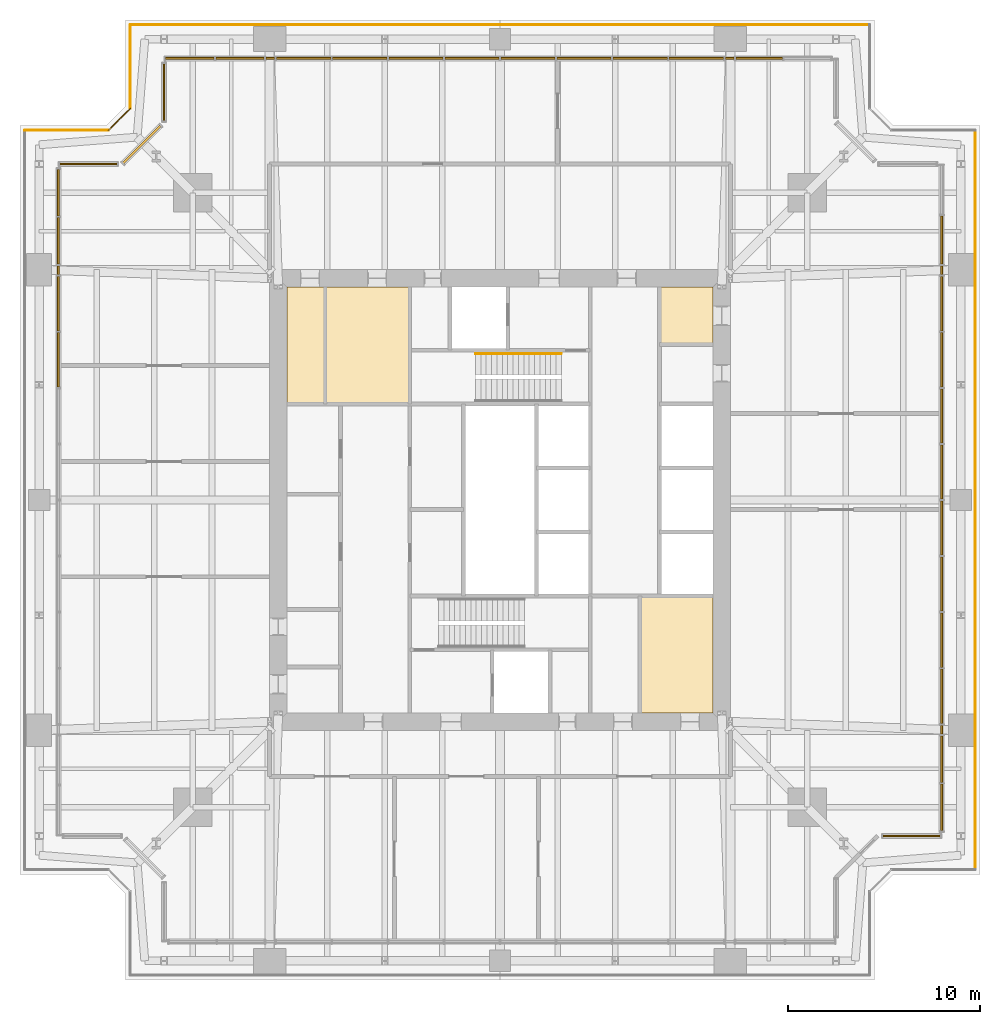
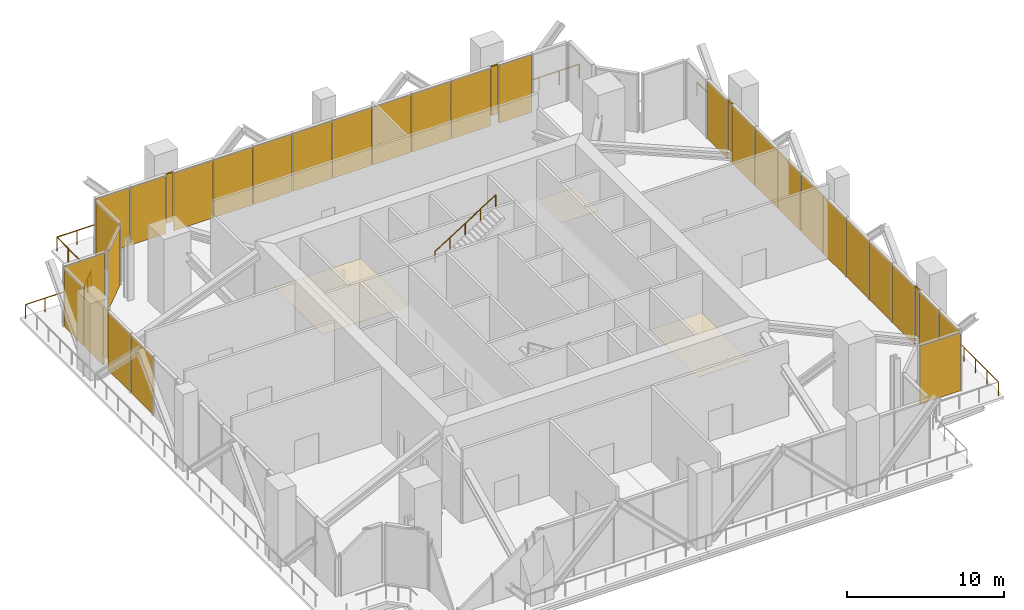
# One storey, part 13 of 14: 35 shading devices, 6 railings, 4 coverings, 12 elements without a shape of their own.
"""IFC4 building model written with IfcOpenShell, lengths in metres."""

from ifc_helpers import new_model, si_unit, direction, frame, origin, origin_2d, place, context, subcontext, project, spatial, polyline, rectangle, circle, outline, extrude, material, layer, layer_set, type_object, element, aggregate, save


model = new_model("IFC4")

# Units and contexts
model_context = context("Model", 3, precision=1e-05, world=origin(), true_north=direction((0.0, 1.0)))
body_context = subcontext(model_context, "Body", "Model", "MODEL_VIEW")
ifc_project = project(units=[si_unit("LENGTHUNIT", "METRE"), si_unit("AREAUNIT", "SQUARE_METRE"), si_unit("VOLUMEUNIT", "CUBIC_METRE"), si_unit("PLANEANGLEUNIT", "RADIAN"), si_unit("MASSUNIT", "GRAM", prefix="KILO")], contexts=[model_context])

# Site, building, storey
site_placement = place(None, origin())
site = spatial("IfcSite", under=ifc_project, at=site_placement, CompositionType="ELEMENT")
building_placement = place(site_placement, origin())
building = spatial("IfcBuilding", under=site, at=building_placement, Name="Fenwick Lantern Interchange", CompositionType="ELEMENT")
storey_placement = place(building_placement, frame((0.0, 0.0, 233.800048828125)))
storey = spatial("IfcBuildingStorey", under=building, at=storey_placement, Name="L55", CompositionType="ELEMENT", Elevation=233.800048828125)

# Railings
ifc_material_1 = material(Name="Stainless steel handrail", Category="steel")
railing_type_1 = type_object("IfcRailingType", Name="HANDRAIL 900", PredefinedType="HANDRAIL", material=ifc_material_1)
railing_1_placement = place(storey_placement, frame((23.719970703125, 32.6259765625, 3.176513671875)))
element("IfcRailing", 1, at=railing_1_placement, inside=storey, type_object=railing_type_1, Name="L55/STAIR/ST2/HR2", PredefinedType="HANDRAIL", context=body_context, shape_type="SweptSolid", body=[
    extrude(circle(Radius=0.02392578125, at=origin_2d()), frame((0.0, 0.0, 0.8759765625), z_axis=(0.845997938375, 0.0, 0.533186166611), x_axis=(0.0, 1.0, 0.0)), (0.0, 0.0, 1.0), 5.29541015625),
    extrude(circle(Radius=0.02099609375, at=origin_2d()), origin(), (0.0, 0.0, 1.0), 0.851806640625),
    extrude(circle(Radius=0.02099609375, at=origin_2d()), frame((1.1201171875, 0.0, 0.705810546875)), (0.0, 0.0, 1.0), 0.851806640625),
    extrude(circle(Radius=0.02099609375, at=origin_2d()), frame((2.239990234375, 0.0, 1.41162109375)), (0.0, 0.0, 1.0), 0.851806640625),
    extrude(circle(Radius=0.02099609375, at=origin_2d()), frame((3.35986328125, 0.0, 2.11767578125)), (0.0, 0.0, 1.0), 0.851806640625),
    extrude(circle(Radius=0.02099609375, at=origin_2d()), frame((4.47998046875, 0.0, 2.823486328125)), (0.0, 0.0, 1.0), 0.851806640625),
])
ifc_material_2 = material(Name="Galvanised steel guard", Category="steel")
railing_type_2 = type_object("IfcRailingType", Name="MAINTENANCE LEDGE GUARD 1100", PredefinedType="GUARDRAIL", material=ifc_material_2)
railing_2_placement = place(storey_placement, frame((49.75, 5.75, 0.0)))
element("IfcRailing", 2, at=railing_2_placement, inside=storey, type_object=railing_type_2, Name="L55/GR/LEDGE05", PredefinedType="GUARDRAIL", context=body_context, shape_type="SweptSolid", body=[
    extrude(circle(Radius=0.02392578125, at=origin_2d()), frame((0.0, 0.0, 1.076171875), z_axis=(0.0, 1.0, 0.0), x_axis=(-1.0, 0.0, 0.0)), (0.0, 0.0, 1.0), 38.5),
    extrude(circle(Radius=0.02099609375, at=origin_2d()), origin(), (0.0, 0.0, 1.0), 1.052001953125),
    extrude(circle(Radius=0.02099609375, at=origin_2d()), frame((0.0, 1.480712890625, 0.0)), (0.0, 0.0, 1.0), 1.052001953125),
    extrude(circle(Radius=0.02099609375, at=origin_2d()), frame((0.0, 2.96142578125, 0.0)), (0.0, 0.0, 1.0), 1.052001953125),
    extrude(circle(Radius=0.02099609375, at=origin_2d()), frame((0.0, 4.4423828125, 0.0)), (0.0, 0.0, 1.0), 1.052001953125),
    extrude(circle(Radius=0.02099609375, at=origin_2d()), frame((0.0, 5.923095703125, 0.0)), (0.0, 0.0, 1.0), 1.052001953125),
    extrude(circle(Radius=0.02099609375, at=origin_2d()), frame((0.0, 7.40380859375, 0.0)), (0.0, 0.0, 1.0), 1.052001953125),
    extrude(circle(Radius=0.02099609375, at=origin_2d()), frame((0.0, 8.884521484375, 0.0)), (0.0, 0.0, 1.0), 1.052001953125),
    extrude(circle(Radius=0.02099609375, at=origin_2d()), frame((0.0, 10.365478515625, 0.0)), (0.0, 0.0, 1.0), 1.052001953125),
    extrude(circle(Radius=0.02099609375, at=origin_2d()), frame((0.0, 11.84619140625, 0.0)), (0.0, 0.0, 1.0), 1.052001953125),
    extrude(circle(Radius=0.02099609375, at=origin_2d()), frame((0.0, 13.326904296875, 0.0)), (0.0, 0.0, 1.0), 1.052001953125),
    extrude(circle(Radius=0.02099609375, at=origin_2d()), frame((0.0, 14.8076171875, 0.0)), (0.0, 0.0, 1.0), 1.052001953125),
    extrude(circle(Radius=0.02099609375, at=origin_2d()), frame((0.0, 16.28857421875, 0.0)), (0.0, 0.0, 1.0), 1.052001953125),
    extrude(circle(Radius=0.02099609375, at=origin_2d()), frame((0.0, 17.769287109375, 0.0)), (0.0, 0.0, 1.0), 1.052001953125),
    extrude(circle(Radius=0.02099609375, at=origin_2d()), frame((0.0, 19.25, 0.0)), (0.0, 0.0, 1.0), 1.052001953125),
    extrude(circle(Radius=0.02099609375, at=origin_2d()), frame((0.0, 20.730712890625, 0.0)), (0.0, 0.0, 1.0), 1.052001953125),
    extrude(circle(Radius=0.02099609375, at=origin_2d()), frame((0.0, 22.21142578125, 0.0)), (0.0, 0.0, 1.0), 1.052001953125),
    extrude(circle(Radius=0.02099609375, at=origin_2d()), frame((0.0, 23.6923828125, 0.0)), (0.0, 0.0, 1.0), 1.052001953125),
    extrude(circle(Radius=0.02099609375, at=origin_2d()), frame((0.0, 25.173095703125, 0.0)), (0.0, 0.0, 1.0), 1.052001953125),
    extrude(circle(Radius=0.02099609375, at=origin_2d()), frame((0.0, 26.65380859375, 0.0)), (0.0, 0.0, 1.0), 1.052001953125),
    extrude(circle(Radius=0.02099609375, at=origin_2d()), frame((0.0, 28.134521484375, 0.0)), (0.0, 0.0, 1.0), 1.052001953125),
    extrude(circle(Radius=0.02099609375, at=origin_2d()), frame((0.0, 29.615478515625, 0.0)), (0.0, 0.0, 1.0), 1.052001953125),
    extrude(circle(Radius=0.02099609375, at=origin_2d()), frame((0.0, 31.09619140625, 0.0)), (0.0, 0.0, 1.0), 1.052001953125),
    extrude(circle(Radius=0.02099609375, at=origin_2d()), frame((0.0, 32.576904296875, 0.0)), (0.0, 0.0, 1.0), 1.052001953125),
    extrude(circle(Radius=0.02099609375, at=origin_2d()), frame((0.0, 34.0576171875, 0.0)), (0.0, 0.0, 1.0), 1.052001953125),
    extrude(circle(Radius=0.02099609375, at=origin_2d()), frame((0.0, 35.53857421875, 0.0)), (0.0, 0.0, 1.0), 1.052001953125),
    extrude(circle(Radius=0.02099609375, at=origin_2d()), frame((0.0, 37.019287109375, 0.0)), (0.0, 0.0, 1.0), 1.052001953125),
    extrude(circle(Radius=0.02099609375, at=origin_2d()), frame((0.0, 38.5, 0.0)), (0.0, 0.0, 1.0), 1.052001953125),
])
railing_3_placement = place(storey_placement, frame((44.25, 49.75, 0.0)))
element("IfcRailing", 3, at=railing_3_placement, inside=storey, type_object=railing_type_2, Name="L55/GR/LEDGE09", PredefinedType="GUARDRAIL", context=body_context, shape_type="SweptSolid", body=[
    extrude(circle(Radius=0.02392578125, at=origin_2d()), frame((0.0, 0.0, 1.076171875), z_axis=(-1.0, 0.0, 0.0), x_axis=(0.0, -1.0, 0.0)), (0.0, 0.0, 1.0), 38.5),
    extrude(circle(Radius=0.02099609375, at=origin_2d()), origin(), (0.0, 0.0, 1.0), 1.052001953125),
    extrude(circle(Radius=0.02099609375, at=origin_2d()), frame((-1.480712890625, 0.0, 0.0)), (0.0, 0.0, 1.0), 1.052001953125),
    extrude(circle(Radius=0.02099609375, at=origin_2d()), frame((-2.96142578125, 0.0, 0.0)), (0.0, 0.0, 1.0), 1.052001953125),
    extrude(circle(Radius=0.02099609375, at=origin_2d()), frame((-4.4423828125, 0.0, 0.0)), (0.0, 0.0, 1.0), 1.052001953125),
    extrude(circle(Radius=0.02099609375, at=origin_2d()), frame((-5.923095703125, 0.0, 0.0)), (0.0, 0.0, 1.0), 1.052001953125),
    extrude(circle(Radius=0.02099609375, at=origin_2d()), frame((-7.40380859375, 0.0, 0.0)), (0.0, 0.0, 1.0), 1.052001953125),
    extrude(circle(Radius=0.02099609375, at=origin_2d()), frame((-8.884521484375, 0.0, 0.0)), (0.0, 0.0, 1.0), 1.052001953125),
    extrude(circle(Radius=0.02099609375, at=origin_2d()), frame((-10.365478515625, 0.0, 0.0)), (0.0, 0.0, 1.0), 1.052001953125),
    extrude(circle(Radius=0.02099609375, at=origin_2d()), frame((-11.84619140625, 0.0, 0.0)), (0.0, 0.0, 1.0), 1.052001953125),
    extrude(circle(Radius=0.02099609375, at=origin_2d()), frame((-13.326904296875, 0.0, 0.0)), (0.0, 0.0, 1.0), 1.052001953125),
    extrude(circle(Radius=0.02099609375, at=origin_2d()), frame((-14.8076171875, 0.0, 0.0)), (0.0, 0.0, 1.0), 1.052001953125),
    extrude(circle(Radius=0.02099609375, at=origin_2d()), frame((-16.28857421875, 0.0, 0.0)), (0.0, 0.0, 1.0), 1.052001953125),
    extrude(circle(Radius=0.02099609375, at=origin_2d()), frame((-17.769287109375, 0.0, 0.0)), (0.0, 0.0, 1.0), 1.052001953125),
    extrude(circle(Radius=0.02099609375, at=origin_2d()), frame((-19.25, 0.0, 0.0)), (0.0, 0.0, 1.0), 1.052001953125),
    extrude(circle(Radius=0.02099609375, at=origin_2d()), frame((-20.730712890625, 0.0, 0.0)), (0.0, 0.0, 1.0), 1.052001953125),
    extrude(circle(Radius=0.02099609375, at=origin_2d()), frame((-22.21142578125, 0.0, 0.0)), (0.0, 0.0, 1.0), 1.052001953125),
    extrude(circle(Radius=0.02099609375, at=origin_2d()), frame((-23.6923828125, 0.0, 0.0)), (0.0, 0.0, 1.0), 1.052001953125),
    extrude(circle(Radius=0.02099609375, at=origin_2d()), frame((-25.173095703125, 0.0, 0.0)), (0.0, 0.0, 1.0), 1.052001953125),
    extrude(circle(Radius=0.02099609375, at=origin_2d()), frame((-26.65380859375, 0.0, 0.0)), (0.0, 0.0, 1.0), 1.052001953125),
    extrude(circle(Radius=0.02099609375, at=origin_2d()), frame((-28.134521484375, 0.0, 0.0)), (0.0, 0.0, 1.0), 1.052001953125),
    extrude(circle(Radius=0.02099609375, at=origin_2d()), frame((-29.615478515625, 0.0, 0.0)), (0.0, 0.0, 1.0), 1.052001953125),
    extrude(circle(Radius=0.02099609375, at=origin_2d()), frame((-31.09619140625, 0.0, 0.0)), (0.0, 0.0, 1.0), 1.052001953125),
    extrude(circle(Radius=0.02099609375, at=origin_2d()), frame((-32.576904296875, 0.0, 0.0)), (0.0, 0.0, 1.0), 1.052001953125),
    extrude(circle(Radius=0.02099609375, at=origin_2d()), frame((-34.0576171875, 0.0, 0.0)), (0.0, 0.0, 1.0), 1.052001953125),
    extrude(circle(Radius=0.02099609375, at=origin_2d()), frame((-35.53857421875, 0.0, 0.0)), (0.0, 0.0, 1.0), 1.052001953125),
    extrude(circle(Radius=0.02099609375, at=origin_2d()), frame((-37.019287109375, 0.0, 0.0)), (0.0, 0.0, 1.0), 1.052001953125),
    extrude(circle(Radius=0.02099609375, at=origin_2d()), frame((-38.5, 0.0, 0.0)), (0.0, 0.0, 1.0), 1.052001953125),
])
railing_4_placement = place(storey_placement, frame((5.75, 49.75, 0.0)))
element("IfcRailing", 4, at=railing_4_placement, inside=storey, type_object=railing_type_2, Name="L55/GR/LEDGE10", PredefinedType="GUARDRAIL", context=body_context, shape_type="SweptSolid", body=[
    extrude(circle(Radius=0.02392578125, at=origin_2d()), frame((0.0, 0.0, 1.076171875), z_axis=(0.0, -1.0, 0.0), x_axis=(1.0, 0.0, 0.0)), (0.0, 0.0, 1.0), 4.353515625),
    extrude(circle(Radius=0.02099609375, at=origin_2d()), origin(), (0.0, 0.0, 1.0), 1.052001953125),
    extrude(circle(Radius=0.02099609375, at=origin_2d()), frame((0.0, -1.451171875, 0.0)), (0.0, 0.0, 1.0), 1.052001953125),
    extrude(circle(Radius=0.02099609375, at=origin_2d()), frame((0.0, -2.90234375, 0.0)), (0.0, 0.0, 1.0), 1.052001953125),
    extrude(circle(Radius=0.02099609375, at=origin_2d()), frame((0.0, -4.353515625, 0.0)), (0.0, 0.0, 1.0), 1.052001953125),
])
railing_5_placement = place(storey_placement, frame((5.75, 45.396484375, 0.0)))
element("IfcRailing", 5, at=railing_5_placement, inside=storey, type_object=railing_type_2, Name="L55/GR/LEDGE11", PredefinedType="GUARDRAIL", context=body_context, shape_type="SweptSolid", body=[
    extrude(circle(Radius=0.02392578125, at=origin_2d()), frame((0.0, 0.0, 1.076171875), z_axis=(-0.707106781187, -0.707106781187, 0.0), x_axis=(0.707106781187, -0.707106781187, 0.0)), (0.0, 0.0, 1.0), 1.621337890625),
    extrude(circle(Radius=0.02099609375, at=origin_2d()), origin(), (0.0, 0.0, 1.0), 1.052001953125),
    extrude(circle(Radius=0.02099609375, at=origin_2d()), frame((-0.5732421875, -0.5732421875, 0.0)), (0.0, 0.0, 1.0), 1.052001953125),
    extrude(circle(Radius=0.02099609375, at=origin_2d()), frame((-1.146484375, -1.146484375, 0.0)), (0.0, 0.0, 1.0), 1.052001953125),
])
railing_6_placement = place(storey_placement, frame((4.603515625, 44.25, 0.0)))
element("IfcRailing", 6, at=railing_6_placement, inside=storey, type_object=railing_type_2, Name="L55/GR/LEDGE12", PredefinedType="GUARDRAIL", context=body_context, shape_type="SweptSolid", body=[
    extrude(circle(Radius=0.02392578125, at=origin_2d()), frame((0.0, 0.0, 1.076171875), z_axis=(-1.0, 0.0, 0.0), x_axis=(0.0, -1.0, 0.0)), (0.0, 0.0, 1.0), 4.353515625),
    extrude(circle(Radius=0.02099609375, at=origin_2d()), origin(), (0.0, 0.0, 1.0), 1.052001953125),
    extrude(circle(Radius=0.02099609375, at=origin_2d()), frame((-1.451171875, 0.0, 0.0)), (0.0, 0.0, 1.0), 1.052001953125),
    extrude(circle(Radius=0.02099609375, at=origin_2d()), frame((-2.90234375, 0.0, 0.0)), (0.0, 0.0, 1.0), 1.052001953125),
    extrude(circle(Radius=0.02099609375, at=origin_2d()), frame((-4.353515625, 0.0, 0.0)), (0.0, 0.0, 1.0), 1.052001953125),
])

# Coverings
ifc_material_3 = material(Name="Moisture resistant gypsum board on suspended frame, painted")
ifc_layer_1 = layer(ifc_material_3, 0.014892578125)
ifc_layer_set_1 = layer_set([ifc_layer_1], Name="MOISTURE RESISTANT CEILING 15")
covering_type = type_object("IfcCoveringType", Name="MOISTURE RESISTANT CEILING 15", PredefinedType="CEILING", material=ifc_layer_set_1)
covering_1_placement = place(storey_placement, frame((0.0, 0.0, 2.599853515625)))
element("IfcCovering", 7, at=covering_1_placement, inside=storey, type_object=covering_type, Name="Women's WC ceiling", PredefinedType="CEILING", context=body_context, shape_type="SweptSolid", body=[
    extrude(outline(polyline([(32.300048828125, 13.89990234375), (36.10009765625, 13.89990234375), (36.10009765625, 20.0), (32.300048828125, 20.0), (32.300048828125, 13.89990234375)])), origin(), (0.0, 0.0, 1.0), 0.01513671875),
])
covering_2_placement = place(storey_placement, frame((0.0, 0.0, 2.599853515625)))
element("IfcCovering", 8, at=covering_2_placement, inside=storey, type_object=covering_type, Name="Women's WC ceiling", PredefinedType="CEILING", context=body_context, shape_type="SweptSolid", body=[
    extrude(outline(polyline([(20.300048828125, 36.10009765625), (15.89990234375, 36.10009765625), (15.89990234375, 30.0), (20.300048828125, 30.0), (20.300048828125, 36.10009765625)])), origin(), (0.0, 0.0, 1.0), 0.01513671875),
])
covering_3_placement = place(storey_placement, frame((0.0, 0.0, 2.599853515625)))
element("IfcCovering", 9, at=covering_3_placement, inside=storey, type_object=covering_type, Name="Men's WC ceiling", PredefinedType="CEILING", context=body_context, shape_type="SweptSolid", body=[
    extrude(outline(polyline([(15.89990234375, 36.10009765625), (13.89990234375, 36.10009765625), (13.89990234375, 30.0), (15.89990234375, 30.0), (15.89990234375, 36.10009765625)])), origin(), (0.0, 0.0, 1.0), 0.01513671875),
])
covering_4_placement = place(storey_placement, frame((0.0, 0.0, 2.599853515625)))
element("IfcCovering", 10, at=covering_4_placement, inside=storey, type_object=covering_type, Name="Accessible WC ceiling", PredefinedType="CEILING", context=body_context, shape_type="SweptSolid", body=[
    extrude(outline(polyline([(36.10009765625, 36.10009765625), (33.300048828125, 36.10009765625), (33.300048828125, 33.10009765625), (36.10009765625, 33.10009765625), (36.10009765625, 36.10009765625)])), origin(), (0.0, 0.0, 1.0), 0.01513671875),
])

# Curtain wall, shading device
ifc_material_4 = material(Name="Aluminium curtain wall frame", Category="aluminium")
curtain_wall_type = type_object("IfcCurtainWallType", Name="PLANT LOUVRE SCREEN", PredefinedType="USERDEFINED", material=ifc_material_4)
curtain_wall_1_placement = place(storey_placement, origin())
curtain_wall_1 = element("IfcCurtainWall", 11, at=curtain_wall_1_placement, inside=storey, type_object=curtain_wall_type, Name="Plant louvre screen 03", ObjectType="PLANT LOUVRE SCREEN", PredefinedType="USERDEFINED")
ifc_material_5 = material(Name="Louvre panel, anodised aluminium blades", Category="aluminium")
ifc_layer_2 = layer(ifc_material_5, 0.10009765625)
ifc_layer_set_2 = layer_set([ifc_layer_2], Name="PLANT LOUVRE SCREEN PANEL 100")
shading_device_type = type_object("IfcShadingDeviceType", Name="PLANT LOUVRE SCREEN PANEL 100", PredefinedType="SHUTTER", material=ifc_layer_set_2)
shading_device_1_placement = place(storey_placement, frame((46.435791015625, 7.5, 0.0), z_axis=(0.0, 0.0, 1.0), x_axis=(1.0, 0.0, 0.0)))
shading_device_1 = element("IfcShadingDevice", 12, at=shading_device_1_placement, type_object=shading_device_type, Name="L55/CW/03/P00", PredefinedType="SHUTTER", context=body_context, shape_type="SweptSolid", body=[
    extrude(rectangle(XDim=2.978515625, YDim=0.10009765625, at=origin_2d()), origin(), (0.0, 0.0, 1.0), 4.47998046875),
])
aggregate(curtain_wall_1, [shading_device_1])

# Curtain wall, shading devices
curtain_wall_2_placement = place(storey_placement, origin())
curtain_wall_2 = element("IfcCurtainWall", 13, at=curtain_wall_2_placement, inside=storey, type_object=curtain_wall_type, Name="Plant louvre screen 04A", ObjectType="PLANT LOUVRE SCREEN", PredefinedType="USERDEFINED")
shading_device_2_placement = place(storey_placement, frame((48.0, 8.99267578125, 0.0), z_axis=(0.0, 0.0, 1.0), x_axis=(0.0, 1.0, 0.0)))
shading_device_2 = element("IfcShadingDevice", 14, at=shading_device_2_placement, type_object=shading_device_type, Name="L55/CW/04A/P00", PredefinedType="SHUTTER", context=body_context, shape_type="SweptSolid", body=[
    extrude(rectangle(XDim=2.43505859375, YDim=0.10009765625, at=origin_2d()), origin(), (0.0, 0.0, 1.0), 4.47998046875),
])
shading_device_3_placement = place(storey_placement, frame((48.0, 11.502685546875, 0.0), z_axis=(0.0, 0.0, 1.0), x_axis=(0.0, 1.0, 0.0)))
shading_device_3 = element("IfcShadingDevice", 15, at=shading_device_3_placement, type_object=shading_device_type, Name="L55/CW/04A/P01", PredefinedType="SHUTTER", context=body_context, shape_type="SweptSolid", body=[
    extrude(rectangle(XDim=2.43505859375, YDim=0.10009765625, at=origin_2d()), origin(), (0.0, 0.0, 1.0), 4.47998046875),
])
aggregate(curtain_wall_2, [shading_device_2, shading_device_3])

curtain_wall_3_placement = place(storey_placement, origin())
curtain_wall_3 = element("IfcCurtainWall", 16, at=curtain_wall_3_placement, inside=storey, type_object=curtain_wall_type, Name="Plant louvre screen 04B", ObjectType="PLANT LOUVRE SCREEN", PredefinedType="USERDEFINED")
shading_device_4_placement = place(storey_placement, frame((48.0, 14.777587890625, 0.0), z_axis=(0.0, 0.0, 1.0), x_axis=(0.0, 1.0, 0.0)))
shading_device_4 = element("IfcShadingDevice", 17, at=shading_device_4_placement, type_object=shading_device_type, Name="L55/CW/04B/P00", PredefinedType="SHUTTER", context=body_context, shape_type="SweptSolid", body=[
    extrude(rectangle(XDim=2.845703125, YDim=0.10009765625, at=origin_2d()), origin(), (0.0, 0.0, 1.0), 4.47998046875),
])
shading_device_5_placement = place(storey_placement, frame((48.0, 17.6982421875, 0.0), z_axis=(0.0, 0.0, 1.0), x_axis=(0.0, 1.0, 0.0)))
shading_device_5 = element("IfcShadingDevice", 18, at=shading_device_5_placement, type_object=shading_device_type, Name="L55/CW/04B/P01", PredefinedType="SHUTTER", context=body_context, shape_type="SweptSolid", body=[
    extrude(rectangle(XDim=2.845703125, YDim=0.10009765625, at=origin_2d()), origin(), (0.0, 0.0, 1.0), 4.47998046875),
])
shading_device_6_placement = place(storey_placement, frame((48.0, 20.618896484375, 0.0), z_axis=(0.0, 0.0, 1.0), x_axis=(0.0, 1.0, 0.0)))
shading_device_6 = element("IfcShadingDevice", 19, at=shading_device_6_placement, type_object=shading_device_type, Name="L55/CW/04B/P02", PredefinedType="SHUTTER", context=body_context, shape_type="SweptSolid", body=[
    extrude(rectangle(XDim=2.845703125, YDim=0.10009765625, at=origin_2d()), origin(), (0.0, 0.0, 1.0), 4.47998046875),
])
shading_device_7_placement = place(storey_placement, frame((48.0, 23.53955078125, 0.0), z_axis=(0.0, 0.0, 1.0), x_axis=(0.0, 1.0, 0.0)))
shading_device_7 = element("IfcShadingDevice", 20, at=shading_device_7_placement, type_object=shading_device_type, Name="L55/CW/04B/P03", PredefinedType="SHUTTER", context=body_context, shape_type="SweptSolid", body=[
    extrude(rectangle(XDim=2.845703125, YDim=0.10009765625, at=origin_2d()), origin(), (0.0, 0.0, 1.0), 4.47998046875),
])
shading_device_8_placement = place(storey_placement, frame((48.0, 26.46044921875, 0.0), z_axis=(0.0, 0.0, 1.0), x_axis=(0.0, 1.0, 0.0)))
shading_device_8 = element("IfcShadingDevice", 21, at=shading_device_8_placement, type_object=shading_device_type, Name="L55/CW/04B/P04", PredefinedType="SHUTTER", context=body_context, shape_type="SweptSolid", body=[
    extrude(rectangle(XDim=2.845703125, YDim=0.10009765625, at=origin_2d()), origin(), (0.0, 0.0, 1.0), 4.47998046875),
])
shading_device_9_placement = place(storey_placement, frame((48.0, 29.381103515625, 0.0), z_axis=(0.0, 0.0, 1.0), x_axis=(0.0, 1.0, 0.0)))
shading_device_9 = element("IfcShadingDevice", 22, at=shading_device_9_placement, type_object=shading_device_type, Name="L55/CW/04B/P05", PredefinedType="SHUTTER", context=body_context, shape_type="SweptSolid", body=[
    extrude(rectangle(XDim=2.845703125, YDim=0.10009765625, at=origin_2d()), origin(), (0.0, 0.0, 1.0), 4.47998046875),
])
shading_device_10_placement = place(storey_placement, frame((48.0, 32.3017578125, 0.0), z_axis=(0.0, 0.0, 1.0), x_axis=(0.0, 1.0, 0.0)))
shading_device_10 = element("IfcShadingDevice", 23, at=shading_device_10_placement, type_object=shading_device_type, Name="L55/CW/04B/P06", PredefinedType="SHUTTER", context=body_context, shape_type="SweptSolid", body=[
    extrude(rectangle(XDim=2.845703125, YDim=0.10009765625, at=origin_2d()), origin(), (0.0, 0.0, 1.0), 4.47998046875),
])
shading_device_11_placement = place(storey_placement, frame((48.0, 35.222412109375, 0.0), z_axis=(0.0, 0.0, 1.0), x_axis=(0.0, 1.0, 0.0)))
shading_device_11 = element("IfcShadingDevice", 24, at=shading_device_11_placement, type_object=shading_device_type, Name="L55/CW/04B/P07", PredefinedType="SHUTTER", context=body_context, shape_type="SweptSolid", body=[
    extrude(rectangle(XDim=2.845703125, YDim=0.10009765625, at=origin_2d()), origin(), (0.0, 0.0, 1.0), 4.47998046875),
])
aggregate(curtain_wall_3, [shading_device_4, shading_device_5, shading_device_6, shading_device_7, shading_device_8, shading_device_9, shading_device_10, shading_device_11])

# Curtain wall, shading device
curtain_wall_4_placement = place(storey_placement, origin())
curtain_wall_4 = element("IfcCurtainWall", 25, at=curtain_wall_4_placement, inside=storey, type_object=curtain_wall_type, Name="Plant louvre screen 04C", ObjectType="PLANT LOUVRE SCREEN", PredefinedType="USERDEFINED")
shading_device_12_placement = place(storey_placement, frame((48.0, 38.54736328125, 0.0), z_axis=(0.0, 0.0, 1.0), x_axis=(0.0, 1.0, 0.0)))
shading_device_12 = element("IfcShadingDevice", 26, at=shading_device_12_placement, type_object=shading_device_type, Name="L55/CW/04C/P00", PredefinedType="SHUTTER", context=body_context, shape_type="SweptSolid", body=[
    extrude(rectangle(XDim=2.53515625, YDim=0.10009765625, at=origin_2d()), origin(), (0.0, 0.0, 1.0), 4.47998046875),
])
aggregate(curtain_wall_4, [shading_device_12])

# Shading devices
for number, where, z_axis, x_axis, name in (
    (27, (48.0, 13.03759765625, 0.8193359375), (0.0, 0.0, 1.0), (0.0, 1.0, 0.0), "Louvre screen infill 04-1"),
    (28, (48.0, 36.96240234375, 0.8193359375), (0.0, 0.0, 1.0), (0.0, 1.0, 0.0), "Louvre screen infill 04-2"),
):
    element("IfcShadingDevice", number, at=place(storey_placement, frame(where, z_axis=z_axis, x_axis=x_axis)), inside=storey, type_object=shading_device_type, Name=name, PredefinedType="SHUTTER", context=body_context, shape_type="SweptSolid", body=[
        extrude(rectangle(XDim=0.484375, YDim=0.10009765625, at=origin_2d()), origin(), (0.0, 0.0, 1.0), 3.78076171875),
    ])

# Curtain wall, shading device
curtain_wall_5_placement = place(storey_placement, origin())
curtain_wall_5 = element("IfcCurtainWall", 29, at=curtain_wall_5_placement, inside=storey, type_object=curtain_wall_type, Name="Plant louvre screen 08A", ObjectType="PLANT LOUVRE SCREEN", PredefinedType="USERDEFINED")
shading_device_13_placement = place(storey_placement, frame((38.4990234375, 48.0, 0.0), z_axis=(0.0, 0.0, 1.0), x_axis=(-1.0, 0.0, 0.0)))
shading_device_13 = element("IfcShadingDevice", 30, at=shading_device_13_placement, type_object=shading_device_type, Name="L55/CW/08A/P01", PredefinedType="SHUTTER", context=body_context, shape_type="SweptSolid", body=[
    extrude(rectangle(XDim=2.43408203125, YDim=0.10009765625, at=origin_2d()), origin(), (0.0, 0.0, 1.0), 4.47998046875),
])
aggregate(curtain_wall_5, [shading_device_13])

# Curtain wall, shading devices
curtain_wall_6_placement = place(storey_placement, origin())
curtain_wall_6 = element("IfcCurtainWall", 31, at=curtain_wall_6_placement, inside=storey, type_object=curtain_wall_type, Name="Plant louvre screen 08B", ObjectType="PLANT LOUVRE SCREEN", PredefinedType="USERDEFINED")
shading_device_14_placement = place(storey_placement, frame((35.22509765625, 48.0, 0.0), z_axis=(0.0, 0.0, 1.0), x_axis=(-1.0, 0.0, 0.0)))
shading_device_14 = element("IfcShadingDevice", 32, at=shading_device_14_placement, type_object=shading_device_type, Name="L55/CW/08B/P00", PredefinedType="SHUTTER", context=body_context, shape_type="SweptSolid", body=[
    extrude(rectangle(XDim=2.846435546875, YDim=0.10009765625, at=origin_2d()), origin(), (0.0, 0.0, 1.0), 4.47998046875),
])
shading_device_15_placement = place(storey_placement, frame((32.3037109375, 48.0, 0.0), z_axis=(0.0, 0.0, 1.0), x_axis=(-1.0, 0.0, 0.0)))
shading_device_15 = element("IfcShadingDevice", 33, at=shading_device_15_placement, type_object=shading_device_type, Name="L55/CW/08B/P01", PredefinedType="SHUTTER", context=body_context, shape_type="SweptSolid", body=[
    extrude(rectangle(XDim=2.846435546875, YDim=0.10009765625, at=origin_2d()), origin(), (0.0, 0.0, 1.0), 4.47998046875),
])
shading_device_16_placement = place(storey_placement, frame((29.382080078125, 48.0, 0.0), z_axis=(0.0, 0.0, 1.0), x_axis=(-1.0, 0.0, 0.0)))
shading_device_16 = element("IfcShadingDevice", 34, at=shading_device_16_placement, type_object=shading_device_type, Name="L55/CW/08B/P02", PredefinedType="SHUTTER", context=body_context, shape_type="SweptSolid", body=[
    extrude(rectangle(XDim=2.846435546875, YDim=0.10009765625, at=origin_2d()), origin(), (0.0, 0.0, 1.0), 4.47998046875),
])
shading_device_17_placement = place(storey_placement, frame((26.460693359375, 48.0, 0.0), z_axis=(0.0, 0.0, 1.0), x_axis=(-1.0, 0.0, 0.0)))
shading_device_17 = element("IfcShadingDevice", 35, at=shading_device_17_placement, type_object=shading_device_type, Name="L55/CW/08B/P03", PredefinedType="SHUTTER", context=body_context, shape_type="SweptSolid", body=[
    extrude(rectangle(XDim=2.846435546875, YDim=0.10009765625, at=origin_2d()), origin(), (0.0, 0.0, 1.0), 4.47998046875),
])
shading_device_18_placement = place(storey_placement, frame((23.539306640625, 48.0, 0.0), z_axis=(0.0, 0.0, 1.0), x_axis=(-1.0, 0.0, 0.0)))
shading_device_18 = element("IfcShadingDevice", 36, at=shading_device_18_placement, type_object=shading_device_type, Name="L55/CW/08B/P04", PredefinedType="SHUTTER", context=body_context, shape_type="SweptSolid", body=[
    extrude(rectangle(XDim=2.846435546875, YDim=0.10009765625, at=origin_2d()), origin(), (0.0, 0.0, 1.0), 4.47998046875),
])
shading_device_19_placement = place(storey_placement, frame((20.617919921875, 48.0, 0.0), z_axis=(0.0, 0.0, 1.0), x_axis=(-1.0, 0.0, 0.0)))
shading_device_19 = element("IfcShadingDevice", 37, at=shading_device_19_placement, type_object=shading_device_type, Name="L55/CW/08B/P05", PredefinedType="SHUTTER", context=body_context, shape_type="SweptSolid", body=[
    extrude(rectangle(XDim=2.846435546875, YDim=0.10009765625, at=origin_2d()), origin(), (0.0, 0.0, 1.0), 4.47998046875),
])
shading_device_20_placement = place(storey_placement, frame((17.6962890625, 48.0, 0.0), z_axis=(0.0, 0.0, 1.0), x_axis=(-1.0, 0.0, 0.0)))
shading_device_20 = element("IfcShadingDevice", 38, at=shading_device_20_placement, type_object=shading_device_type, Name="L55/CW/08B/P06", PredefinedType="SHUTTER", context=body_context, shape_type="SweptSolid", body=[
    extrude(rectangle(XDim=2.846435546875, YDim=0.10009765625, at=origin_2d()), origin(), (0.0, 0.0, 1.0), 4.47998046875),
])
shading_device_21_placement = place(storey_placement, frame((14.77490234375, 48.0, 0.0), z_axis=(0.0, 0.0, 1.0), x_axis=(-1.0, 0.0, 0.0)))
shading_device_21 = element("IfcShadingDevice", 39, at=shading_device_21_placement, type_object=shading_device_type, Name="L55/CW/08B/P07", PredefinedType="SHUTTER", context=body_context, shape_type="SweptSolid", body=[
    extrude(rectangle(XDim=2.846435546875, YDim=0.10009765625, at=origin_2d()), origin(), (0.0, 0.0, 1.0), 4.47998046875),
])
aggregate(curtain_wall_6, [shading_device_14, shading_device_15, shading_device_16, shading_device_17, shading_device_18, shading_device_19, shading_device_20, shading_device_21])

curtain_wall_7_placement = place(storey_placement, origin())
curtain_wall_7 = element("IfcCurtainWall", 40, at=curtain_wall_7_placement, inside=storey, type_object=curtain_wall_type, Name="Plant louvre screen 08C", ObjectType="PLANT LOUVRE SCREEN", PredefinedType="USERDEFINED")
shading_device_22_placement = place(storey_placement, frame((11.450927734375, 48.0, 0.0), z_axis=(0.0, 0.0, 1.0), x_axis=(-1.0, 0.0, 0.0)))
shading_device_22 = element("IfcShadingDevice", 41, at=shading_device_22_placement, type_object=shading_device_type, Name="L55/CW/08C/P00", PredefinedType="SHUTTER", context=body_context, shape_type="SweptSolid", body=[
    extrude(rectangle(XDim=2.533935546875, YDim=0.10009765625, at=origin_2d()), origin(), (0.0, 0.0, 1.0), 4.47998046875),
])
shading_device_23_placement = place(storey_placement, frame((8.842041015625, 48.0, 0.0), z_axis=(0.0, 0.0, 1.0), x_axis=(-1.0, 0.0, 0.0)))
shading_device_23 = element("IfcShadingDevice", 42, at=shading_device_23_placement, type_object=shading_device_type, Name="L55/CW/08C/P01", PredefinedType="SHUTTER", context=body_context, shape_type="SweptSolid", body=[
    extrude(rectangle(XDim=2.533935546875, YDim=0.10009765625, at=origin_2d()), origin(), (0.0, 0.0, 1.0), 4.47998046875),
])
aggregate(curtain_wall_7, [shading_device_22, shading_device_23])

# Shading devices
for number, where, z_axis, x_axis, name in (
    (43, (36.965087890625, 48.0, 0.7783203125), (0.0, 0.0, 1.0), (-1.0, 0.0, 0.0), "Louvre screen infill 08-1"),
    (44, (13.034912109375, 48.0, 0.7783203125), (0.0, 0.0, 1.0), (-1.0, 0.0, 0.0), "Louvre screen infill 08-2"),
):
    element("IfcShadingDevice", number, at=place(storey_placement, frame(where, z_axis=z_axis, x_axis=x_axis)), inside=storey, type_object=shading_device_type, Name=name, PredefinedType="SHUTTER", context=body_context, shape_type="SweptSolid", body=[
        extrude(rectangle(XDim=0.483642578125, YDim=0.10009765625, at=origin_2d()), origin(), (0.0, 0.0, 1.0), 3.821533203125),
    ])

# Curtain wall, shading device
curtain_wall_8_placement = place(storey_placement, origin())
curtain_wall_8 = element("IfcCurtainWall", 45, at=curtain_wall_8_placement, inside=storey, type_object=curtain_wall_type, Name="Plant louvre screen 09", ObjectType="PLANT LOUVRE SCREEN", PredefinedType="USERDEFINED")
shading_device_24_placement = place(storey_placement, frame((7.5, 46.23583984375, 0.0), z_axis=(0.0, 0.0, 1.0), x_axis=(0.0, -1.0, 0.0)))
shading_device_24 = element("IfcShadingDevice", 46, at=shading_device_24_placement, type_object=shading_device_type, Name="L55/CW/09/P00", PredefinedType="SHUTTER", context=body_context, shape_type="SweptSolid", body=[
    extrude(rectangle(XDim=2.978515625, YDim=0.10009765625, at=origin_2d()), origin(), (0.0, 0.0, 1.0), 4.47998046875),
])
aggregate(curtain_wall_8, [shading_device_24])

curtain_wall_9_placement = place(storey_placement, origin())
curtain_wall_9 = element("IfcCurtainWall", 47, at=curtain_wall_9_placement, inside=storey, type_object=curtain_wall_type, Name="Plant louvre screen 10", ObjectType="PLANT LOUVRE SCREEN", PredefinedType="USERDEFINED")
shading_device_25_placement = place(storey_placement, frame((6.343505859375, 43.51513671875, 0.0), z_axis=(0.0, 0.0, 1.0), x_axis=(-0.707106781187, -0.707106781187, 0.0)))
shading_device_25 = element("IfcShadingDevice", 48, at=shading_device_25_placement, type_object=shading_device_type, Name="L55/CW/10/P00", PredefinedType="SHUTTER", context=body_context, shape_type="SweptSolid", body=[
    extrude(rectangle(XDim=2.720947265625, YDim=0.10009765625, at=origin_2d()), origin(), (0.0, 0.0, 1.0), 4.47998046875),
])
aggregate(curtain_wall_9, [shading_device_25])

curtain_wall_10_placement = place(storey_placement, origin())
curtain_wall_10 = element("IfcCurtainWall", 49, at=curtain_wall_10_placement, inside=storey, type_object=curtain_wall_type, Name="Plant louvre screen 11", ObjectType="PLANT LOUVRE SCREEN", PredefinedType="USERDEFINED")
shading_device_26_placement = place(storey_placement, frame((3.564208984375, 42.5, 0.0), z_axis=(0.0, 0.0, 1.0), x_axis=(-1.0, 0.0, 0.0)))
shading_device_26 = element("IfcShadingDevice", 50, at=shading_device_26_placement, type_object=shading_device_type, Name="L55/CW/11/P00", PredefinedType="SHUTTER", context=body_context, shape_type="SweptSolid", body=[
    extrude(rectangle(XDim=2.978515625, YDim=0.10009765625, at=origin_2d()), origin(), (0.0, 0.0, 1.0), 4.47998046875),
])
aggregate(curtain_wall_10, [shading_device_26])

# Curtain wall, shading devices
curtain_wall_11_placement = place(storey_placement, origin())
curtain_wall_11 = element("IfcCurtainWall", 51, at=curtain_wall_11_placement, inside=storey, type_object=curtain_wall_type, Name="Plant louvre screen 12A", ObjectType="PLANT LOUVRE SCREEN", PredefinedType="USERDEFINED")
shading_device_27_placement = place(storey_placement, frame((2.0, 41.00732421875, 0.0), z_axis=(0.0, 0.0, 1.0), x_axis=(0.0, -1.0, 0.0)))
shading_device_27 = element("IfcShadingDevice", 52, at=shading_device_27_placement, type_object=shading_device_type, Name="L55/CW/12A/P00", PredefinedType="SHUTTER", context=body_context, shape_type="SweptSolid", body=[
    extrude(rectangle(XDim=2.43505859375, YDim=0.10009765625, at=origin_2d()), origin(), (0.0, 0.0, 1.0), 4.47998046875),
])
shading_device_28_placement = place(storey_placement, frame((2.0, 38.497314453125, 0.0), z_axis=(0.0, 0.0, 1.0), x_axis=(0.0, -1.0, 0.0)))
shading_device_28 = element("IfcShadingDevice", 53, at=shading_device_28_placement, type_object=shading_device_type, Name="L55/CW/12A/P01", PredefinedType="SHUTTER", context=body_context, shape_type="SweptSolid", body=[
    extrude(rectangle(XDim=2.43505859375, YDim=0.10009765625, at=origin_2d()), origin(), (0.0, 0.0, 1.0), 4.47998046875),
])
aggregate(curtain_wall_11, [shading_device_27, shading_device_28])

curtain_wall_12_placement = place(storey_placement, origin())
curtain_wall_12 = element("IfcCurtainWall", 54, at=curtain_wall_12_placement, inside=storey, type_object=curtain_wall_type, Name="Plant louvre screen 12B", ObjectType="PLANT LOUVRE SCREEN", PredefinedType="USERDEFINED")
shading_device_29_placement = place(storey_placement, frame((2.0, 35.222412109375, 0.0), z_axis=(0.0, 0.0, 1.0), x_axis=(0.0, -1.0, 0.0)))
shading_device_29 = element("IfcShadingDevice", 55, at=shading_device_29_placement, type_object=shading_device_type, Name="L55/CW/12B/P00", PredefinedType="SHUTTER", context=body_context, shape_type="SweptSolid", body=[
    extrude(rectangle(XDim=2.845703125, YDim=0.10009765625, at=origin_2d()), origin(), (0.0, 0.0, 1.0), 4.47998046875),
])
shading_device_30_placement = place(storey_placement, frame((2.0, 32.3017578125, 0.0), z_axis=(0.0, 0.0, 1.0), x_axis=(0.0, -1.0, 0.0)))
shading_device_30 = element("IfcShadingDevice", 56, at=shading_device_30_placement, type_object=shading_device_type, Name="L55/CW/12B/P01", PredefinedType="SHUTTER", context=body_context, shape_type="SweptSolid", body=[
    extrude(rectangle(XDim=2.845703125, YDim=0.10009765625, at=origin_2d()), origin(), (0.0, 0.0, 1.0), 4.47998046875),
])
aggregate(curtain_wall_12, [shading_device_29, shading_device_30])

# Shading device
shading_device_31_placement = place(storey_placement, frame((2.0, 36.96240234375, 0.8193359375), z_axis=(0.0, 0.0, 1.0), x_axis=(0.0, -1.0, 0.0)))
element("IfcShadingDevice", 57, at=shading_device_31_placement, inside=storey, type_object=shading_device_type, Name="Louvre screen infill 12-1", PredefinedType="SHUTTER", context=body_context, shape_type="SweptSolid", body=[
    extrude(rectangle(XDim=0.484375, YDim=0.10009765625, at=origin_2d()), origin(), (0.0, 0.0, 1.0), 3.78076171875),
])

save(model, "model.ifc")
